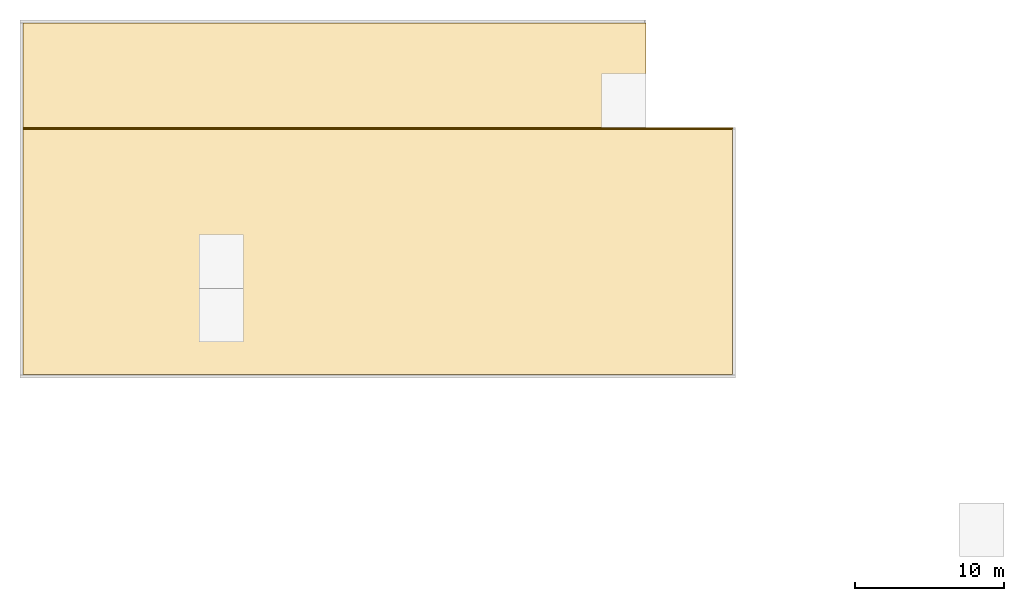
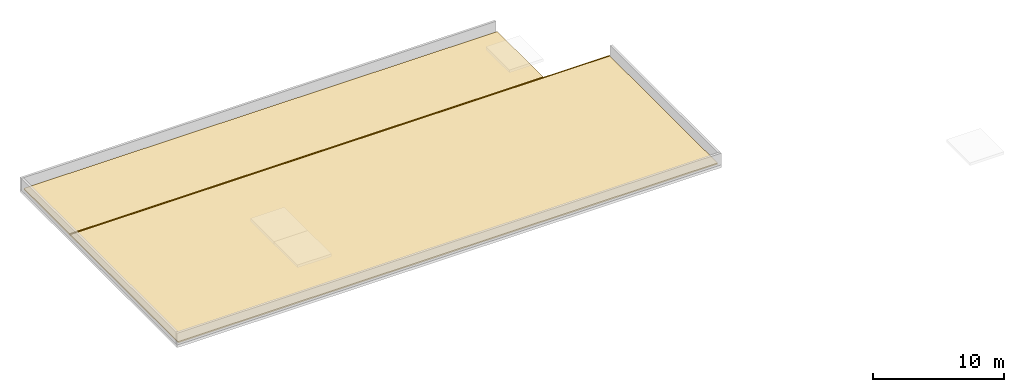
# One storey, part 2 of 2: 3 coverings.
"""IFC4 building model written with IfcOpenShell, lengths in metres."""

from ifc_helpers import new_model, si_unit, direction, frame, origin, place, context, subcontext, project, spatial, polyline, outline, extrude, material, layer, layer_set, type_object, element, save


model = new_model("IFC4")

# Units and contexts
model_context = context("Model", 3, precision=1e-05, world=origin(), true_north=direction((0.0, 1.0)))
body_context = subcontext(model_context, "Body", "Model", "MODEL_VIEW")
ifc_project = project(units=[si_unit("LENGTHUNIT", "METRE"), si_unit("AREAUNIT", "SQUARE_METRE"), si_unit("VOLUMEUNIT", "CUBIC_METRE"), si_unit("PLANEANGLEUNIT", "RADIAN"), si_unit("MASSUNIT", "GRAM", prefix="KILO")], contexts=[model_context])

# Site, building, storey
site_placement = place(None, origin())
site = spatial("IfcSite", under=ifc_project, at=site_placement, CompositionType="ELEMENT")
building_placement = place(site_placement, origin())
building = spatial("IfcBuilding", under=site, at=building_placement, Name="Laocheng Heights Fire and Rescue Headquarters", CompositionType="ELEMENT")
storey_placement = place(building_placement, frame((0.0, 0.0, 25.199951171875)))
storey = spatial("IfcBuildingStorey", under=building, at=storey_placement, Name="ROOF", CompositionType="ELEMENT", Elevation=25.199951171875)

# Coverings
ifc_material = material(Name="Bituminous membrane roofing with gravel ballast")
ifc_layer = layer(ifc_material, 0.1201171875)
ifc_layer_set = layer_set([ifc_layer], Name="Bituminous membrane roofing with gravel ballast")
covering_type = type_object("IfcCoveringType", Name="FLAT ROOF BUILD-UP 120", PredefinedType="ROOFING", material=ifc_layer_set)
covering_1_placement = place(storey_placement, origin())
element("IfcCovering", 1, at=covering_1_placement, inside=storey, type_object=covering_type, Name="Roof covering Hq", PredefinedType="ROOFING", context=body_context, shape_type="SweptSolid", body=[
    extrude(outline(polyline([(77.97998046875, 64.800048828125), (77.97998046875, 71.7900390625), (36.2099609375, 71.7900390625), (36.2099609375, 64.800048828125), (77.97998046875, 64.800048828125)])), origin(), (0.0, 0.0, 1.0), 0.1201171875),
])
covering_2_placement = place(storey_placement, origin())
element("IfcCovering", 2, at=covering_2_placement, inside=storey, type_object=covering_type, Name="Roof covering Hq", PredefinedType="ROOFING", context=body_context, shape_type="SweptSolid", body=[
    extrude(outline(polyline([(83.7900390625, 48.2099609375), (83.7900390625, 64.675048828125), (36.2099609375, 64.675048828125), (36.2099609375, 48.2099609375), (83.7900390625, 48.2099609375)])), origin(), (0.0, 0.0, 1.0), 0.1201171875),
])
covering_3_placement = place(storey_placement, origin())
element("IfcCovering", 3, at=covering_3_placement, inside=storey, type_object=covering_type, Name="Roof covering Hq", PredefinedType="ROOFING", context=body_context, shape_type="SweptSolid", body=[
    extrude(outline(polyline([(83.820068359375, 64.68505859375), (83.820068359375, 64.780029296875), (36.2099609375, 64.780029296875), (36.2099609375, 64.68505859375), (83.820068359375, 64.68505859375)])), origin(), (0.0, 0.0, 1.0), 0.1201171875),
])

save(model, "model.ifc")
